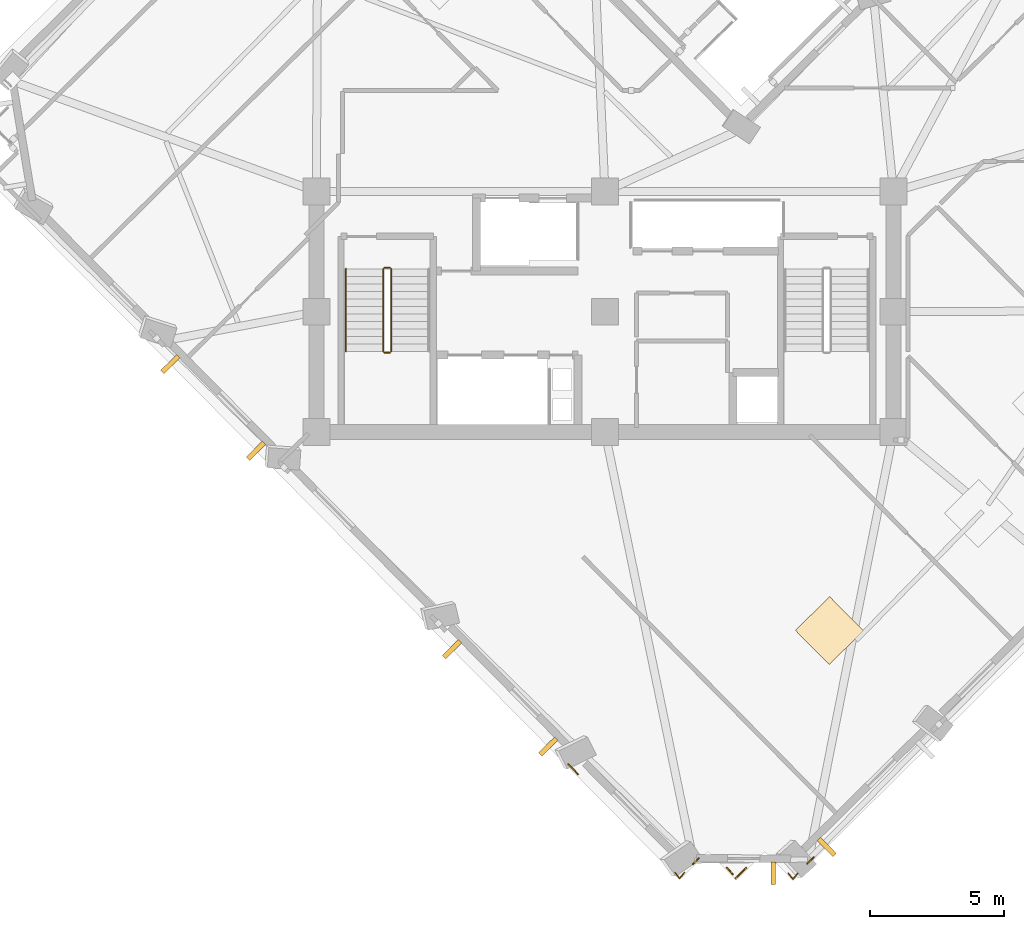
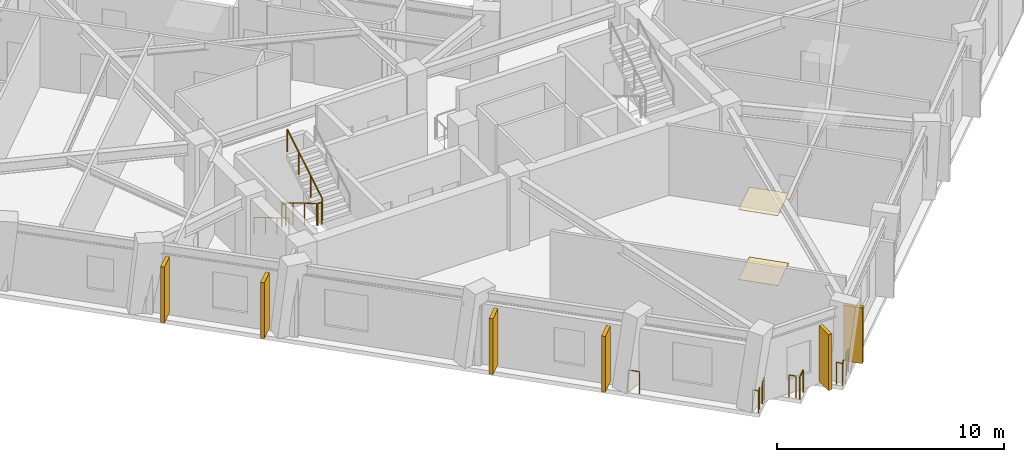
# One storey, part 8 of 11: 12 railings, 6 shading devices, 2 coverings.
"""IFC4 building model written with IfcOpenShell, lengths in metres."""

from ifc_helpers import new_model, si_unit, direction, frame, origin, origin_2d, place, context, subcontext, project, spatial, rectangle, circle, extrude, material, layer, layer_set, type_object, element, save


model = new_model("IFC4")

# Units and contexts
model_context = context("Model", 3, precision=1e-05, world=origin(), true_north=direction((0.0, 1.0)))
body_context = subcontext(model_context, "Body", "Model", "MODEL_VIEW")
ifc_project = project(units=[si_unit("LENGTHUNIT", "METRE"), si_unit("AREAUNIT", "SQUARE_METRE"), si_unit("VOLUMEUNIT", "CUBIC_METRE"), si_unit("PLANEANGLEUNIT", "RADIAN"), si_unit("MASSUNIT", "GRAM", prefix="KILO")], contexts=[model_context])

# Site, building, storey
site_placement = place(None, origin())
site = spatial("IfcSite", under=ifc_project, at=site_placement, CompositionType="ELEMENT")
building_placement = place(site_placement, origin())
building = spatial("IfcBuilding", under=site, at=building_placement, Name="Gaonmaruhae Medical Tower", CompositionType="ELEMENT")
storey_placement = place(building_placement, frame((0.0, 0.0, 215.199951171875)))
storey = spatial("IfcBuildingStorey", under=building, at=storey_placement, Name="L51", CompositionType="ELEMENT", Elevation=215.199951171875)

# Coverings
ifc_material_1 = material(Name="Acoustic mineral ceiling tile", Category="finish")
ifc_layer_1 = layer(ifc_material_1, 0.02490234375)
ifc_layer_set_1 = layer_set([ifc_layer_1], Name="Acoustic mineral ceiling tile")
covering_type_1 = type_object("IfcCoveringType", Name="CLG-01 Antimicrobial Acoustic Mineral Ceiling", PredefinedType="CEILING", material=ifc_layer_set_1)
covering_1_placement = place(storey_placement, frame((33.2021484375, 0.365478515625, 3.755126953125), z_axis=(0.0, 0.0, 1.0), x_axis=(0.711413030818, 0.702774145499, 0.0)))
element("IfcCovering", 1, at=covering_1_placement, inside=storey, type_object=covering_type_1, Name="L51 Clinical Room Acoustic Ceiling 2", PredefinedType="CEILING", context=body_context, shape_type="SweptSolid", body=[
    extrude(rectangle(XDim=1.800048828125, YDim=1.800048828125, at=origin_2d()), origin(), (0.0, 0.0, 1.0), 0.02490234375),
])
ifc_material_2 = material(Name="Seamless clinical vinyl flooring", Category="finish")
ifc_layer_2 = layer(ifc_material_2, 0.014892578125)
ifc_layer_set_2 = layer_set([ifc_layer_2], Name="Seamless clinical vinyl flooring")
covering_type_2 = type_object("IfcCoveringType", Name="FLR-01 Seamless Clinical Antistatic Vinyl Flooring", PredefinedType="FLOORING", material=ifc_layer_set_2)
covering_2_placement = place(storey_placement, frame((33.2021484375, 0.365478515625, 0.0), z_axis=(0.0, 0.0, 1.0), x_axis=(0.711413030818, 0.702774145499, 0.0)))
element("IfcCovering", 2, at=covering_2_placement, inside=storey, type_object=covering_type_2, Name="L51 Clinical Room Vinyl Flooring 2", PredefinedType="FLOORING", context=body_context, shape_type="SweptSolid", body=[
    extrude(rectangle(XDim=1.800048828125, YDim=1.800048828125, at=origin_2d()), origin(), (0.0, 0.0, 1.0), 0.014892578125),
])

# Railings
ifc_material_3 = material(Name="Stainless steel 316L and laminated safety glass", Category="steel")
ifc_layer_3 = layer(ifc_material_3, 0.080078125)
ifc_layer_set_3 = layer_set([ifc_layer_3], Name="Stainless steel 316L and laminated safety glass")
railing_type_1 = type_object("IfcRailingType", Name="GD-120 Outdoor Terrace Safety Glass & Steel Balustrade", PredefinedType="BALUSTRADE", material=ifc_layer_set_3)
railing_1_placement = place(storey_placement, frame((32.61328125, -8.12548828125, 0.0)))
element("IfcRailing", 3, at=railing_1_placement, inside=storey, type_object=railing_type_1, Name="L51 Perimeter Slab Edge Safety Balustrade 03", PredefinedType="BALUSTRADE", context=body_context, shape_type="SweptSolid", body=[
    extrude(circle(Radius=0.02392578125, at=origin_2d()), frame((0.0, 0.0, 1.17578125), z_axis=(-0.711759824957, -0.702422915043, 0.0), x_axis=(0.702422915043, -0.711759824957, 0.0)), (0.0, 0.0, 1.0), 0.33984375),
    extrude(circle(Radius=0.02099609375, at=origin_2d()), origin(), (0.0, 0.0, 1.0), 1.15185546875),
    extrude(circle(Radius=0.02099609375, at=origin_2d()), frame((-0.241943359375, -0.23876953125, 0.0)), (0.0, 0.0, 1.0), 1.15185546875),
])
railing_2_placement = place(storey_placement, frame((30.080078125, -8.519287109375, 0.0)))
element("IfcRailing", 4, at=railing_2_placement, inside=storey, type_object=railing_type_1, Name="L51 Perimeter Slab Edge Safety Balustrade 04", PredefinedType="BALUSTRADE", context=body_context, shape_type="SweptSolid", body=[
    extrude(circle(Radius=0.02392578125, at=origin_2d()), frame((0.0, 0.0, 1.17578125), z_axis=(-0.711670720308, -0.702513192657, 0.0), x_axis=(0.702513192657, -0.711670720308, 0.0)), (0.0, 0.0, 1.0), 0.559814453125),
    extrude(circle(Radius=0.02099609375, at=origin_2d()), origin(), (0.0, 0.0, 1.0), 1.15185546875),
    extrude(circle(Radius=0.02099609375, at=origin_2d()), frame((-0.3984375, -0.393310546875, 0.0)), (0.0, 0.0, 1.0), 1.15185546875),
])
railing_3_placement = place(storey_placement, frame((29.58837890625, -8.747314453125, 0.0)))
element("IfcRailing", 5, at=railing_3_placement, inside=storey, type_object=railing_type_1, Name="L51 Perimeter Slab Edge Safety Balustrade 05", PredefinedType="BALUSTRADE", context=body_context, shape_type="SweptSolid", body=[
    extrude(circle(Radius=0.02392578125, at=origin_2d()), frame((0.0, 0.0, 1.17578125), z_axis=(-0.70260782832, 0.711577289958, 0.0), x_axis=(-0.711577289958, -0.70260782832, 0.0)), (0.0, 0.0, 1.0), 0.32666015625),
    extrude(circle(Radius=0.02099609375, at=origin_2d()), origin(), (0.0, 0.0, 1.0), 1.15185546875),
    extrude(circle(Radius=0.02099609375, at=origin_2d()), frame((-0.2294921875, 0.232421875, 0.0)), (0.0, 0.0, 1.0), 1.15185546875),
])
railing_4_placement = place(storey_placement, frame((28.314453125, -8.15478515625, 0.0)))
element("IfcRailing", 6, at=railing_4_placement, inside=storey, type_object=railing_type_1, Name="L51 Perimeter Slab Edge Safety Balustrade 06", PredefinedType="BALUSTRADE", context=body_context, shape_type="SweptSolid", body=[
    extrude(circle(Radius=0.02392578125, at=origin_2d()), frame((0.0, 0.0, 1.17578125), z_axis=(-0.711203688117, -0.702985998444, 0.0), x_axis=(0.702985998444, -0.711203688117, 0.0)), (0.0, 0.0, 1.0), 0.326904296875),
    extrude(circle(Radius=0.02099609375, at=origin_2d()), origin(), (0.0, 0.0, 1.0), 1.15185546875),
    extrude(circle(Radius=0.02099609375, at=origin_2d()), frame((-0.232421875, -0.229736328125, 0.0)), (0.0, 0.0, 1.0), 1.15185546875),
])
railing_5_placement = place(storey_placement, frame((23.79052734375, -5.012451171875, 0.0)))
element("IfcRailing", 7, at=railing_5_placement, inside=storey, type_object=railing_type_1, Name="L51 Perimeter Slab Edge Safety Balustrade 07", PredefinedType="BALUSTRADE", context=body_context, shape_type="SweptSolid", body=[
    extrude(circle(Radius=0.02392578125, at=origin_2d()), frame((0.0, 0.0, 1.17578125), z_axis=(-0.702860007931, 0.711328200798, 0.0), x_axis=(-0.711328200798, -0.702860007931, 0.0)), (0.0, 0.0, 1.0), 0.51904296875),
    extrude(circle(Radius=0.02099609375, at=origin_2d()), origin(), (0.0, 0.0, 1.0), 1.15185546875),
    extrude(circle(Radius=0.02099609375, at=origin_2d()), frame((-0.36474609375, 0.369140625, 0.0)), (0.0, 0.0, 1.0), 1.15185546875),
])
for number, where, name in (
    (8, (32.016357421875, -8.71484375, 0.0), "L51 Perimeter Corner Safety Balustrade 16"),
    (9, (27.77392578125, -8.68896484375, 0.0), "L51 Perimeter Corner Safety Balustrade 17"),
):
    element("IfcRailing", number, at=place(storey_placement, frame(where)), inside=storey, type_object=railing_type_1, Name=name, PredefinedType="BALUSTRADE", context=body_context, shape_type="SweptSolid", body=[
        extrude(circle(Radius=0.02392578125, at=origin_2d()), frame((0.0, 0.0, 1.17578125), z_axis=(-0.620332857545, -0.784338667828, 0.0), x_axis=(0.784338667828, -0.620332857545, 0.0)), (0.0, 0.0, 1.0), 0.287353515625),
        extrude(circle(Radius=0.02392578125, at=origin_2d()), frame((-0.17822265625, -0.225341796875, 1.17578125), z_axis=(-0.610696803204, 0.791864517804, 0.0), x_axis=(-0.791864517804, -0.610696803204, 0.0)), (0.0, 0.0, 1.0), 0.287109375),
        extrude(circle(Radius=0.02099609375, at=origin_2d()), origin(), (0.0, 0.0, 1.0), 1.15185546875),
        extrude(circle(Radius=0.02099609375, at=origin_2d()), frame((-0.17822265625, -0.225341796875, 0.0)), (0.0, 0.0, 1.0), 1.15185546875),
        extrude(circle(Radius=0.02099609375, at=origin_2d()), frame((-0.353515625, 0.001953125, 0.0)), (0.0, 0.0, 1.0), 1.15185546875),
    ])
ifc_material_4 = material(Name="Stainless steel 304 handrail", Category="steel")
railing_type_2 = type_object("IfcRailingType", Name="HR-092 Continuous Stainless Steel Stair Handrail", PredefinedType="HANDRAIL", material=ifc_material_4)
railing_6_placement = place(storey_placement, frame((15.10009765625, 13.89990234375, 0.166748046875)))
element("IfcRailing", 10, at=railing_6_placement, inside=storey, type_object=railing_type_2, Name="L51 ST-01 stair handrail 1", PredefinedType="HANDRAIL", context=body_context, shape_type="SweptSolid", body=[
    extrude(circle(Radius=0.02392578125, at=origin_2d()), frame((0.0, 0.0, 0.8759765625), z_axis=(0.0, -0.859290745958, 0.51148745235), x_axis=(1.0, 0.0, 0.0)), (0.0, 0.0, 1.0), 3.584228515625),
    extrude(circle(Radius=0.02099609375, at=origin_2d()), origin(), (0.0, 0.0, 1.0), 0.851806640625),
    extrude(circle(Radius=0.02099609375, at=origin_2d()), frame((0.0, -1.026611328125, 0.611083984375)), (0.0, 0.0, 1.0), 0.851806640625),
    extrude(circle(Radius=0.02099609375, at=origin_2d()), frame((0.0, -2.05322265625, 1.22216796875)), (0.0, 0.0, 1.0), 0.851806640625),
    extrude(circle(Radius=0.02099609375, at=origin_2d()), frame((0.0, -3.079833984375, 1.833251953125)), (0.0, 0.0, 1.0), 0.851806640625),
])

# Shading devices
ifc_material_5 = material(Name="Pigmented coral precast concrete C45/55", Category="concrete")
shading_device_type = type_object("IfcShadingDeviceType", Name="SD-FIN1 Tower Vertical Coral Precast Shading Fin", PredefinedType="USERDEFINED", material=ifc_material_5)
for number, where, z_axis, x_axis, name in (
    (11, (33.10009765625, -7.735595703125, 0.132568359375), (0.0, 0.0, 1.0), (-0.711413030818, -0.702774145499, 0.0), "L51 Vertical Coral Precast Shading Fin S01B"),
    (12, (11.737548828125, 7.09619140625, 0.132568359375), (0.0, 0.0, 1.0), (-0.702774145499, 0.711413030818, 0.0), "L51 Vertical Coral Precast Shading Fin W02"),
    (13, (8.532470703125, 10.3408203125, 0.132568359375), (0.0, 0.0, 1.0), (-0.702774145499, 0.711413030818, 0.0), "L51 Vertical Coral Precast Shading Fin W02B"),
    (14, (22.6767578125, -3.977294921875, 0.132568359375), (0.0, 0.0, 1.0), (-0.702774145499, 0.711413030818, 0.0), "L51 Vertical Coral Precast Shading Fin W04"),
    (15, (19.074951171875, -0.331298828125, 0.132568359375), (0.0, 0.0, 1.0), (-0.702774145499, 0.711413030818, 0.0), "L51 Vertical Coral Precast Shading Fin W04B"),
    (16, (31.10107421875, -8.716796875, 0.132568359375), (0.0, 0.0, 1.0), (-0.999981342241, 0.006108614391, 0.0), "L51 Vertical Coral Precast Shading Fin W06"),
):
    element("IfcShadingDevice", number, at=place(storey_placement, frame(where, z_axis=z_axis, x_axis=x_axis)), inside=storey, type_object=shading_device_type, Name=name, ObjectType="FIN", PredefinedType="USERDEFINED", context=body_context, shape_type="SweptSolid", body=[
        extrude(rectangle(XDim=0.179931640625, YDim=0.85009765625, at=origin_2d()), origin(), (0.0, 0.0, 1.0), 3.0),
    ])

# Railings
ifc_material_6 = material(Name="Stainless steel 304 balustrade", Category="steel")
railing_type_3 = type_object("IfcRailingType", Name="SG-112 Stair Well & Ramp Void Safety Balustrade", PredefinedType="BALUSTRADE", material=ifc_material_6)
railing_7_placement = place(storey_placement, frame((16.5, 13.89990234375, 0.166748046875)))
element("IfcRailing", 17, at=railing_7_placement, inside=storey, type_object=railing_type_3, Name="L51 ST-01 stair guard 1", PredefinedType="BALUSTRADE", context=body_context, shape_type="SweptSolid", body=[
    extrude(circle(Radius=0.02392578125, at=origin_2d()), frame((0.0, 0.0, 1.17578125), z_axis=(0.0, -0.859290745958, 0.51148745235), x_axis=(1.0, 0.0, 0.0)), (0.0, 0.0, 1.0), 3.584228515625),
    extrude(circle(Radius=0.02099609375, at=origin_2d()), origin(), (0.0, 0.0, 1.0), 1.15185546875),
    extrude(circle(Radius=0.02099609375, at=origin_2d()), frame((0.0, -1.026611328125, 0.611083984375)), (0.0, 0.0, 1.0), 1.15185546875),
    extrude(circle(Radius=0.02099609375, at=origin_2d()), frame((0.0, -2.05322265625, 1.22216796875)), (0.0, 0.0, 1.0), 1.15185546875),
    extrude(circle(Radius=0.02099609375, at=origin_2d()), frame((0.0, -3.079833984375, 1.833251953125)), (0.0, 0.0, 1.0), 1.15185546875),
])
railing_8_placement = place(storey_placement, frame((16.550048828125, 10.77001953125, 2.0)))
element("IfcRailing", 18, at=railing_8_placement, inside=storey, type_object=railing_type_3, Name="L51 ST-01 stair guard 2", PredefinedType="BALUSTRADE", context=body_context, shape_type="SweptSolid", body=[
    extrude(circle(Radius=0.02392578125, at=origin_2d()), frame((0.0, 0.0, 1.17578125), z_axis=(1.0, 0.0, 0.0), x_axis=(0.0, 1.0, 0.0)), (0.0, 0.0, 1.0), 0.199951171875),
    extrude(circle(Radius=0.02099609375, at=origin_2d()), origin(), (0.0, 0.0, 1.0), 1.15185546875),
    extrude(circle(Radius=0.02099609375, at=origin_2d()), frame((0.199951171875, 0.0, 0.0)), (0.0, 0.0, 1.0), 1.15185546875),
])
railing_9_placement = place(storey_placement, frame((16.800048828125, 10.820068359375, 2.166748046875)))
element("IfcRailing", 19, at=railing_9_placement, inside=storey, type_object=railing_type_3, Name="L51 ST-01 stair guard 3", PredefinedType="BALUSTRADE", context=body_context, shape_type="SweptSolid", body=[
    extrude(circle(Radius=0.02392578125, at=origin_2d()), frame((0.0, 0.0, 1.17578125), z_axis=(0.0, 0.859290745958, 0.51148745235), x_axis=(-1.0, 0.0, 0.0)), (0.0, 0.0, 1.0), 3.584228515625),
    extrude(circle(Radius=0.02099609375, at=origin_2d()), origin(), (0.0, 0.0, 1.0), 1.15185546875),
    extrude(circle(Radius=0.02099609375, at=origin_2d()), frame((0.0, 1.026611328125, 0.611083984375)), (0.0, 0.0, 1.0), 1.15185546875),
    extrude(circle(Radius=0.02099609375, at=origin_2d()), frame((0.0, 2.05322265625, 1.22216796875)), (0.0, 0.0, 1.0), 1.15185546875),
    extrude(circle(Radius=0.02099609375, at=origin_2d()), frame((0.0, 3.079833984375, 1.833251953125)), (0.0, 0.0, 1.0), 1.15185546875),
])
railing_10_placement = place(storey_placement, frame((16.550048828125, 13.949951171875, 0.0)))
element("IfcRailing", 20, at=railing_10_placement, inside=storey, type_object=railing_type_3, Name="L51 ST-01 stair guard 4", PredefinedType="BALUSTRADE", context=body_context, shape_type="SweptSolid", body=[
    extrude(circle(Radius=0.02392578125, at=origin_2d()), frame((0.0, 0.0, 1.17578125), z_axis=(1.0, 0.0, 0.0), x_axis=(0.0, 1.0, 0.0)), (0.0, 0.0, 1.0), 0.199951171875),
    extrude(circle(Radius=0.02099609375, at=origin_2d()), origin(), (0.0, 0.0, 1.0), 1.15185546875),
    extrude(circle(Radius=0.02099609375, at=origin_2d()), frame((0.199951171875, 0.0, 0.0)), (0.0, 0.0, 1.0), 1.15185546875),
])

save(model, "model.ifc")
